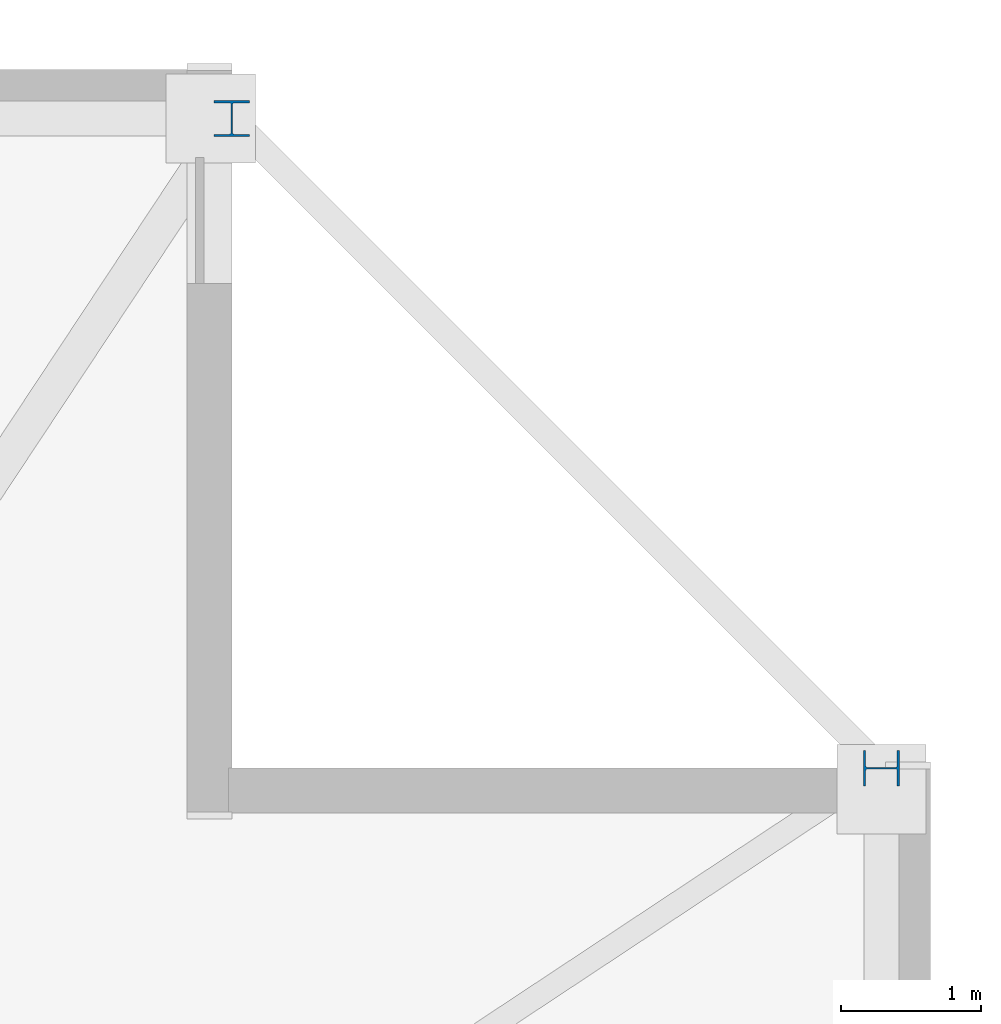
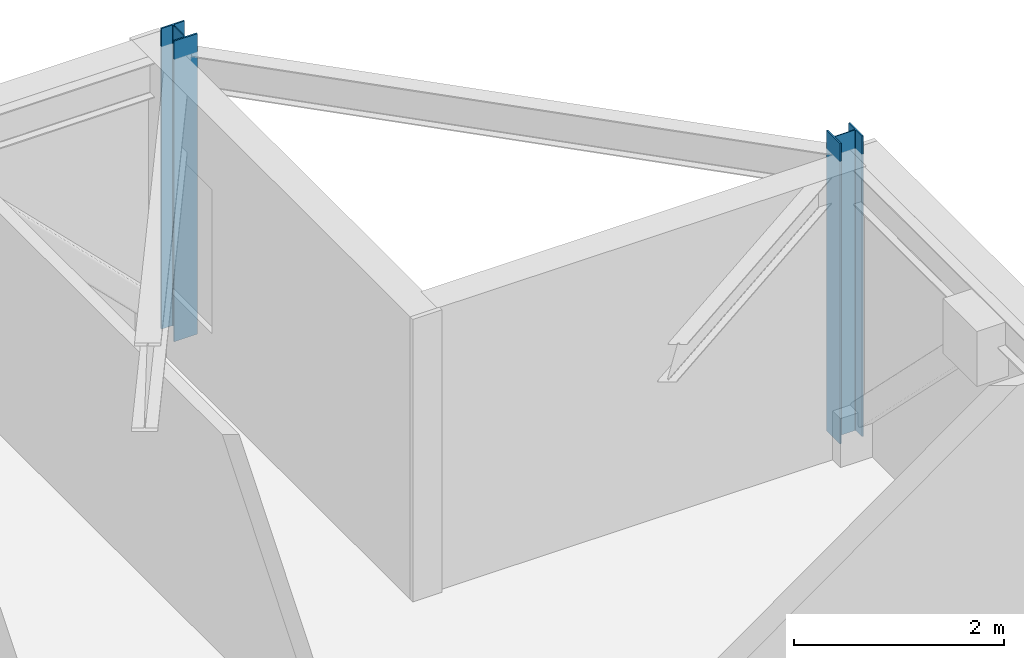
# One storey, part 5 of 17: 2 columns.
"""IFC4 building model written with IfcOpenShell, lengths in metres."""

from ifc_helpers import new_model, si_unit, direction, frame, origin, origin_2d, place, context, subcontext, project, spatial, i_section, extrude, material, material_profile, profile_set, type_object, element, save


model = new_model("IFC4")

# Units and contexts
model_context = context("Model", 3, precision=1e-05, world=origin(), true_north=direction((0.0, 1.0)))
body_context = subcontext(model_context, "Body", "Model", "MODEL_VIEW")
ifc_project = project(units=[si_unit("LENGTHUNIT", "METRE"), si_unit("AREAUNIT", "SQUARE_METRE"), si_unit("VOLUMEUNIT", "CUBIC_METRE"), si_unit("PLANEANGLEUNIT", "RADIAN"), si_unit("MASSUNIT", "GRAM", prefix="KILO")], contexts=[model_context])

# Site, building, storey
site_placement = place(None, origin())
site = spatial("IfcSite", under=ifc_project, at=site_placement, CompositionType="ELEMENT")
building_placement = place(site_placement, origin())
building = spatial("IfcBuilding", under=site, at=building_placement, Name="Cairnveth Concourse Tower", CompositionType="ELEMENT")
storey_placement = place(building_placement, frame((0.0, 0.0, 209.5)))
storey = spatial("IfcBuildingStorey", under=building, at=storey_placement, Name="L57", CompositionType="ELEMENT", Elevation=209.5)

# Columns
ifc_material = material(Name="Steel Grade 350", Category="steel")
ifc_material_profile = material_profile(ifc_material, i_section(OverallWidth=0.256103515625, OverallDepth=0.260009765625, WebThickness=0.010498046875, FlangeThickness=0.017333984375, FilletRadius=0.012939453125, at=origin_2d()), Name="250UC89.5")
ifc_profile_set = profile_set([ifc_material_profile], Name="Steel Grade 350")
column_type = type_object("IfcColumnType", Name="UNIVERSAL STEEL COLUMN 250UC89.5", PredefinedType="COLUMN", material=ifc_profile_set)
for number, where, z_axis, x_axis, name in (
    (1, (74.14990234375, 56.5, 0.0), (0.0, 0.0, 1.0), (0.0, 1.0, 0.0), "Column P-E4 L57"),
    (2, (69.5, 61.14990234375, 0.0), (0.0, 0.0, 1.0), (1.0, 0.0, 0.0), "Column P-N1 L57"),
):
    element("IfcColumn", number, at=place(storey_placement, frame(where, z_axis=z_axis, x_axis=x_axis)), inside=storey, type_object=column_type, Name=name, PredefinedType="COLUMN", context=body_context, shape_type="SweptSolid", body=[
        extrude(i_section(OverallWidth=0.256103515625, OverallDepth=0.260009765625, WebThickness=0.010498046875, FlangeThickness=0.017333984375, FilletRadius=0.012939453125, at=origin_2d()), origin(), (0.0, 0.0, 1.0), 3.5),
    ])

save(model, "model.ifc")
